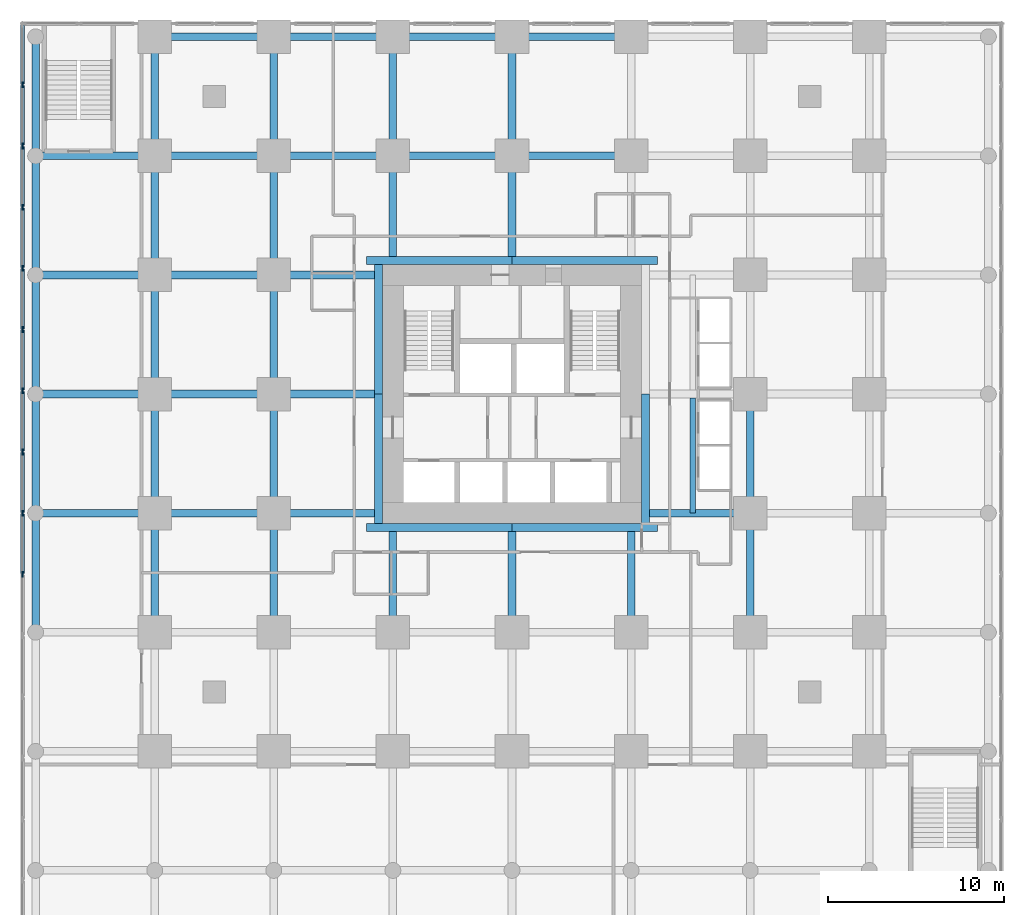
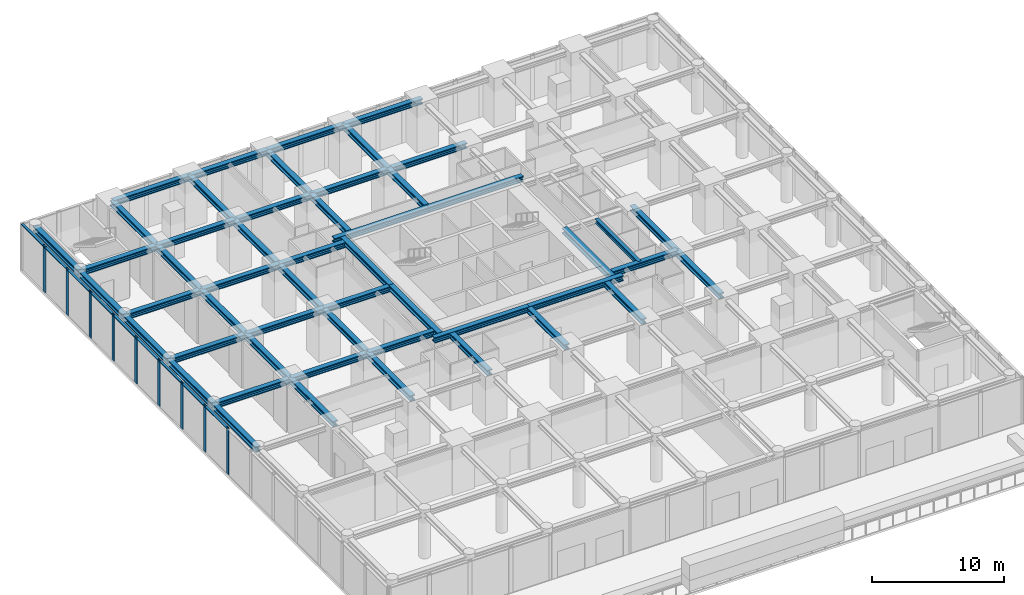
# One storey, part 4 of 11: 51 beams, 18 members, 1 element without a shape of its own.
"""IFC4 building model written with IfcOpenShell, lengths in metres."""

from ifc_helpers import new_model, si_unit, direction, frame, origin, origin_2d, place, context, subcontext, project, spatial, rectangle, i_section, extrude, material, material_profile, profile_set, type_object, element, aggregate, save


model = new_model("IFC4")

# Units and contexts
model_context = context("Model", 3, precision=1e-05, world=origin(), true_north=direction((0.0, 1.0)))
body_context = subcontext(model_context, "Body", "Model", "MODEL_VIEW")
ifc_project = project(units=[si_unit("LENGTHUNIT", "METRE"), si_unit("AREAUNIT", "SQUARE_METRE"), si_unit("VOLUMEUNIT", "CUBIC_METRE"), si_unit("PLANEANGLEUNIT", "RADIAN"), si_unit("MASSUNIT", "GRAM", prefix="KILO")], contexts=[model_context])

# Site, building, storey
site_placement = place(None, origin())
site = spatial("IfcSite", under=ifc_project, at=site_placement, CompositionType="ELEMENT")
building_placement = place(site_placement, origin())
building = spatial("IfcBuilding", under=site, at=building_placement, Name="Nyansa Garden Tower", CompositionType="ELEMENT")
storey_placement = place(building_placement, frame((0.0, 0.0, 4.5)))
storey = spatial("IfcBuildingStorey", under=building, at=storey_placement, Name="L01", CompositionType="ELEMENT", Elevation=4.5)

# Curtain wall, members
ifc_material_1 = material(Name="Black anodised aluminium, clear double glazing", Category="aluminium")
curtain_wall_type = type_object("IfcCurtainWallType", Name="Podium curtain wall PCW", PredefinedType="USERDEFINED", material=ifc_material_1)
curtain_wall_placement = place(storey_placement, origin())
curtain_wall = element("IfcCurtainWall", 1, at=curtain_wall_placement, inside=storey, type_object=curtain_wall_type, Name="Podium curtain wall L01 W", ObjectType="STICK CURTAIN WALL", PredefinedType="USERDEFINED")
ifc_material_2 = material(Name="Black anodised aluminium", Category="aluminium")
ifc_material_profile_1 = material_profile(ifc_material_2, rectangle(XDim=0.080078125, YDim=0.35009765625, at=origin_2d()), Name="Mullion 350x80")
ifc_profile_set_1 = profile_set([ifc_material_profile_1], Name="Black anodised aluminium")
member_type_1 = type_object("IfcMemberType", Name="Mullion PCW 350x80", PredefinedType="MULLION", material=ifc_profile_set_1)
member_1_placement = place(storey_placement, frame((-7.5, 37.78125, 0.0), z_axis=(0.0, 0.0, 1.0), x_axis=(1.0, 0.0, 0.0)))
member_1 = element("IfcMember", 2, at=member_1_placement, type_object=member_type_1, Name="PCW mullion 2", PredefinedType="MULLION", context=body_context, shape_type="SweptSolid", body=[
    extrude(rectangle(XDim=0.080078125, YDim=0.35009765625, at=origin_2d()), origin(), (0.0, 0.0, 1.0), 4.25),
])
member_2_placement = place(storey_placement, frame((-7.5, 34.3125, 0.0), z_axis=(0.0, 0.0, 1.0), x_axis=(1.0, 0.0, 0.0)))
member_2 = element("IfcMember", 3, at=member_2_placement, type_object=member_type_1, Name="PCW mullion 3", PredefinedType="MULLION", context=body_context, shape_type="SweptSolid", body=[
    extrude(rectangle(XDim=0.080078125, YDim=0.35009765625, at=origin_2d()), origin(), (0.0, 0.0, 1.0), 4.25),
])
member_3_placement = place(storey_placement, frame((-7.5, 30.84375, 0.0), z_axis=(0.0, 0.0, 1.0), x_axis=(1.0, 0.0, 0.0)))
member_3 = element("IfcMember", 4, at=member_3_placement, type_object=member_type_1, Name="PCW mullion 4", PredefinedType="MULLION", context=body_context, shape_type="SweptSolid", body=[
    extrude(rectangle(XDim=0.080078125, YDim=0.35009765625, at=origin_2d()), origin(), (0.0, 0.0, 1.0), 4.25),
])
member_4_placement = place(storey_placement, frame((-7.5, 27.375, 0.0), z_axis=(0.0, 0.0, 1.0), x_axis=(1.0, 0.0, 0.0)))
member_4 = element("IfcMember", 5, at=member_4_placement, type_object=member_type_1, Name="PCW mullion 5", PredefinedType="MULLION", context=body_context, shape_type="SweptSolid", body=[
    extrude(rectangle(XDim=0.080078125, YDim=0.35009765625, at=origin_2d()), origin(), (0.0, 0.0, 1.0), 4.25),
])
member_5_placement = place(storey_placement, frame((-7.5, 23.90625, 0.0), z_axis=(0.0, 0.0, 1.0), x_axis=(1.0, 0.0, 0.0)))
member_5 = element("IfcMember", 6, at=member_5_placement, type_object=member_type_1, Name="PCW mullion 6", PredefinedType="MULLION", context=body_context, shape_type="SweptSolid", body=[
    extrude(rectangle(XDim=0.080078125, YDim=0.35009765625, at=origin_2d()), origin(), (0.0, 0.0, 1.0), 4.25),
])
member_6_placement = place(storey_placement, frame((-7.5, 20.4375, 0.0), z_axis=(0.0, 0.0, 1.0), x_axis=(1.0, 0.0, 0.0)))
member_6 = element("IfcMember", 7, at=member_6_placement, type_object=member_type_1, Name="PCW mullion 7", PredefinedType="MULLION", context=body_context, shape_type="SweptSolid", body=[
    extrude(rectangle(XDim=0.080078125, YDim=0.35009765625, at=origin_2d()), origin(), (0.0, 0.0, 1.0), 4.25),
])
member_7_placement = place(storey_placement, frame((-7.5, 16.96875, 0.0), z_axis=(0.0, 0.0, 1.0), x_axis=(1.0, 0.0, 0.0)))
member_7 = element("IfcMember", 8, at=member_7_placement, type_object=member_type_1, Name="PCW mullion 8", PredefinedType="MULLION", context=body_context, shape_type="SweptSolid", body=[
    extrude(rectangle(XDim=0.080078125, YDim=0.35009765625, at=origin_2d()), origin(), (0.0, 0.0, 1.0), 4.25),
])
member_8_placement = place(storey_placement, frame((-7.5, 13.5, 0.0), z_axis=(0.0, 0.0, 1.0), x_axis=(1.0, 0.0, 0.0)))
member_8 = element("IfcMember", 9, at=member_8_placement, type_object=member_type_1, Name="PCW mullion 9", PredefinedType="MULLION", context=body_context, shape_type="SweptSolid", body=[
    extrude(rectangle(XDim=0.080078125, YDim=0.35009765625, at=origin_2d()), origin(), (0.0, 0.0, 1.0), 4.25),
])
member_9_placement = place(storey_placement, frame((-7.5, 10.03125, 0.0), z_axis=(0.0, 0.0, 1.0), x_axis=(1.0, 0.0, 0.0)))
member_9 = element("IfcMember", 10, at=member_9_placement, type_object=member_type_1, Name="PCW mullion 10", PredefinedType="MULLION", context=body_context, shape_type="SweptSolid", body=[
    extrude(rectangle(XDim=0.080078125, YDim=0.35009765625, at=origin_2d()), origin(), (0.0, 0.0, 1.0), 4.25),
])

# Beams
ifc_material_3 = material(Name="Steel S355", Category="steel")
ifc_material_profile_2 = material_profile(ifc_material_3, i_section(OverallWidth=0.431884765625, OverallDepth=0.498046875, WebThickness=0.0556640625, FlangeThickness=0.0888671875, FilletRadius=0.014892578125, at=origin_2d()), Name="HD 400x744")
ifc_profile_set_2 = profile_set([ifc_material_profile_2], Name="Steel S355")
beam_type_1 = type_object("IfcBeamType", Name="Steel beam SBP1-744 HD 400x744", PredefinedType="BEAM", material=ifc_profile_set_2)
for number, where, z_axis, x_axis, name in (
    (11, (-6.75, 13.5, 4.0009765625), (1.0, 0.0, 0.0), (0.0, 1.0, 0.0), "Steel beam 1/F-2/F L02"),
    (12, (-6.75, 20.25, 4.0009765625), (1.0, 0.0, 0.0), (0.0, 1.0, 0.0), "Steel beam 1/G-2/G L02"),
    (13, (-6.75, 27.0, 4.0009765625), (1.0, 0.0, 0.0), (0.0, 1.0, 0.0), "Steel beam 1/H-2/H L02"),
    (14, (-6.75, 33.75, 4.0009765625), (1.0, 0.0, 0.0), (0.0, 1.0, 0.0), "Steel beam 1/J-2/J L02"),
    (15, (0.0, 6.75, 4.0009765625), (0.0, 1.0, 0.0), (-1.0, 0.0, 0.0), "Steel beam 2/E-2/F L02"),
    (16, (0.0, 13.5, 4.0009765625), (0.0, 1.0, 0.0), (-1.0, 0.0, 0.0), "Steel beam 2/F-2/G L02"),
    (17, (0.0, 13.5, 4.0009765625), (1.0, 0.0, 0.0), (0.0, 1.0, 0.0), "Steel beam 2/F-3/F L02"),
    (18, (0.0, 20.25, 4.0009765625), (0.0, 1.0, 0.0), (-1.0, 0.0, 0.0), "Steel beam 2/G-2/H L02"),
    (19, (0.0, 20.25, 4.0009765625), (1.0, 0.0, 0.0), (0.0, 1.0, 0.0), "Steel beam 2/G-3/G L02"),
    (20, (0.0, 27.0, 4.0009765625), (0.0, 1.0, 0.0), (-1.0, 0.0, 0.0), "Steel beam 2/H-2/J L02"),
    (21, (0.0, 27.0, 4.0009765625), (1.0, 0.0, 0.0), (0.0, 1.0, 0.0), "Steel beam 2/H-3/H L02"),
    (22, (0.0, 33.75, 4.0009765625), (0.0, 1.0, 0.0), (-1.0, 0.0, 0.0), "Steel beam 2/J-2/K L02"),
    (23, (0.0, 33.75, 4.0009765625), (1.0, 0.0, 0.0), (0.0, 1.0, 0.0), "Steel beam 2/J-3/J L02"),
    (24, (6.75, 6.75, 4.0009765625), (0.0, 1.0, 0.0), (-1.0, 0.0, 0.0), "Steel beam 3/E-3/F L02"),
    (25, (6.75, 13.5, 4.0009765625), (0.0, 1.0, 0.0), (-1.0, 0.0, 0.0), "Steel beam 3/F-3/G L02"),
):
    element("IfcBeam", number, at=place(storey_placement, frame(where, z_axis=z_axis, x_axis=x_axis)), inside=storey, type_object=beam_type_1, Name=name, PredefinedType="BEAM", context=body_context, shape_type="SweptSolid", body=[
        extrude(i_section(OverallWidth=0.431884765625, OverallDepth=0.498046875, WebThickness=0.0556640625, FlangeThickness=0.0888671875, FilletRadius=0.014892578125, at=origin_2d()), origin(), (0.0, 0.0, 1.0), 6.75),
    ])
beam_1_placement = place(storey_placement, frame((6.75, 13.5, 4.0009765625), z_axis=(1.0, 0.0, 0.0), x_axis=(0.0, 1.0, 0.0)))
element("IfcBeam", 26, at=beam_1_placement, inside=storey, type_object=beam_type_1, Name="Steel beam 3/F-12.450/F L02", PredefinedType="BEAM", context=body_context, shape_type="SweptSolid", body=[
    extrude(i_section(OverallWidth=0.431884765625, OverallDepth=0.498046875, WebThickness=0.0556640625, FlangeThickness=0.0888671875, FilletRadius=0.014892578125, at=origin_2d()), origin(), (0.0, 0.0, 1.0), 5.699951171875),
])
beam_2_placement = place(storey_placement, frame((6.75, 20.25, 4.0009765625), z_axis=(0.0, 1.0, 0.0), x_axis=(-1.0, 0.0, 0.0)))
element("IfcBeam", 27, at=beam_2_placement, inside=storey, type_object=beam_type_1, Name="Steel beam 3/G-3/H L02", PredefinedType="BEAM", context=body_context, shape_type="SweptSolid", body=[
    extrude(i_section(OverallWidth=0.431884765625, OverallDepth=0.498046875, WebThickness=0.0556640625, FlangeThickness=0.0888671875, FilletRadius=0.014892578125, at=origin_2d()), origin(), (0.0, 0.0, 1.0), 6.75),
])
beam_3_placement = place(storey_placement, frame((6.75, 20.25, 4.0009765625), z_axis=(1.0, 0.0, 0.0), x_axis=(0.0, 1.0, 0.0)))
element("IfcBeam", 28, at=beam_3_placement, inside=storey, type_object=beam_type_1, Name="Steel beam 3/G-12.450/G L02", PredefinedType="BEAM", context=body_context, shape_type="SweptSolid", body=[
    extrude(i_section(OverallWidth=0.431884765625, OverallDepth=0.498046875, WebThickness=0.0556640625, FlangeThickness=0.0888671875, FilletRadius=0.014892578125, at=origin_2d()), origin(), (0.0, 0.0, 1.0), 5.699951171875),
])
beam_4_placement = place(storey_placement, frame((6.75, 27.0, 4.0009765625), z_axis=(0.0, 1.0, 0.0), x_axis=(-1.0, 0.0, 0.0)))
element("IfcBeam", 29, at=beam_4_placement, inside=storey, type_object=beam_type_1, Name="Steel beam 3/H-3/J L02", PredefinedType="BEAM", context=body_context, shape_type="SweptSolid", body=[
    extrude(i_section(OverallWidth=0.431884765625, OverallDepth=0.498046875, WebThickness=0.0556640625, FlangeThickness=0.0888671875, FilletRadius=0.014892578125, at=origin_2d()), origin(), (0.0, 0.0, 1.0), 6.75),
])
beam_5_placement = place(storey_placement, frame((6.75, 27.0, 4.0009765625), z_axis=(1.0, 0.0, 0.0), x_axis=(0.0, 1.0, 0.0)))
element("IfcBeam", 30, at=beam_5_placement, inside=storey, type_object=beam_type_1, Name="Steel beam 3/H-12.450/H L02", PredefinedType="BEAM", context=body_context, shape_type="SweptSolid", body=[
    extrude(i_section(OverallWidth=0.431884765625, OverallDepth=0.498046875, WebThickness=0.0556640625, FlangeThickness=0.0888671875, FilletRadius=0.014892578125, at=origin_2d()), origin(), (0.0, 0.0, 1.0), 5.699951171875),
])
for number, where, z_axis, x_axis, name in (
    (31, (6.75, 33.75, 4.0009765625), (0.0, 1.0, 0.0), (-1.0, 0.0, 0.0), "Steel beam 3/J-3/K L02"),
    (32, (6.75, 33.75, 4.0009765625), (1.0, 0.0, 0.0), (0.0, 1.0, 0.0), "Steel beam 3/J-4/J L02"),
):
    element("IfcBeam", number, at=place(storey_placement, frame(where, z_axis=z_axis, x_axis=x_axis)), inside=storey, type_object=beam_type_1, Name=name, PredefinedType="BEAM", context=body_context, shape_type="SweptSolid", body=[
        extrude(i_section(OverallWidth=0.431884765625, OverallDepth=0.498046875, WebThickness=0.0556640625, FlangeThickness=0.0888671875, FilletRadius=0.014892578125, at=origin_2d()), origin(), (0.0, 0.0, 1.0), 6.75),
    ])
for number, where, z_axis, x_axis, name in (
    (33, (13.5, 6.75, 4.0009765625), (0.0, 1.0, 0.0), (-1.0, 0.0, 0.0), "Steel beam 4/E-4/12.450 L02"),
    (34, (13.5, 28.050048828125, 4.0009765625), (0.0, 1.0, 0.0), (-1.0, 0.0, 0.0), "Steel beam 4/28.050-4/J L02"),
):
    element("IfcBeam", number, at=place(storey_placement, frame(where, z_axis=z_axis, x_axis=x_axis)), inside=storey, type_object=beam_type_1, Name=name, PredefinedType="BEAM", context=body_context, shape_type="SweptSolid", body=[
        extrude(i_section(OverallWidth=0.431884765625, OverallDepth=0.498046875, WebThickness=0.0556640625, FlangeThickness=0.0888671875, FilletRadius=0.014892578125, at=origin_2d()), origin(), (0.0, 0.0, 1.0), 5.699951171875),
    ])
for number, where, z_axis, x_axis, name in (
    (35, (13.5, 33.75, 4.0009765625), (0.0, 1.0, 0.0), (-1.0, 0.0, 0.0), "Steel beam 4/J-4/K L02"),
    (36, (13.5, 33.75, 4.0009765625), (1.0, 0.0, 0.0), (0.0, 1.0, 0.0), "Steel beam 4/J-5/J L02"),
):
    element("IfcBeam", number, at=place(storey_placement, frame(where, z_axis=z_axis, x_axis=x_axis)), inside=storey, type_object=beam_type_1, Name=name, PredefinedType="BEAM", context=body_context, shape_type="SweptSolid", body=[
        extrude(i_section(OverallWidth=0.431884765625, OverallDepth=0.498046875, WebThickness=0.0556640625, FlangeThickness=0.0888671875, FilletRadius=0.014892578125, at=origin_2d()), origin(), (0.0, 0.0, 1.0), 6.75),
    ])
for number, where, z_axis, x_axis, name in (
    (37, (20.25, 6.75, 4.0009765625), (0.0, 1.0, 0.0), (-1.0, 0.0, 0.0), "Steel beam 5/E-5/12.450 L02"),
    (38, (20.25, 28.050048828125, 4.0009765625), (0.0, 1.0, 0.0), (-1.0, 0.0, 0.0), "Steel beam 5/28.050-5/J L02"),
):
    element("IfcBeam", number, at=place(storey_placement, frame(where, z_axis=z_axis, x_axis=x_axis)), inside=storey, type_object=beam_type_1, Name=name, PredefinedType="BEAM", context=body_context, shape_type="SweptSolid", body=[
        extrude(i_section(OverallWidth=0.431884765625, OverallDepth=0.498046875, WebThickness=0.0556640625, FlangeThickness=0.0888671875, FilletRadius=0.014892578125, at=origin_2d()), origin(), (0.0, 0.0, 1.0), 5.699951171875),
    ])
for number, where, z_axis, x_axis, name in (
    (39, (20.25, 33.75, 4.0009765625), (0.0, 1.0, 0.0), (-1.0, 0.0, 0.0), "Steel beam 5/J-5/K L02"),
    (40, (20.25, 33.75, 4.0009765625), (1.0, 0.0, 0.0), (0.0, 1.0, 0.0), "Steel beam 5/J-6/J L02"),
):
    element("IfcBeam", number, at=place(storey_placement, frame(where, z_axis=z_axis, x_axis=x_axis)), inside=storey, type_object=beam_type_1, Name=name, PredefinedType="BEAM", context=body_context, shape_type="SweptSolid", body=[
        extrude(i_section(OverallWidth=0.431884765625, OverallDepth=0.498046875, WebThickness=0.0556640625, FlangeThickness=0.0888671875, FilletRadius=0.014892578125, at=origin_2d()), origin(), (0.0, 0.0, 1.0), 6.75),
    ])
for number, where, z_axis, x_axis, name in (
    (41, (27.0, 6.75, 4.0009765625), (0.0, 1.0, 0.0), (-1.0, 0.0, 0.0), "Steel beam 6/E-6/12.450 L02"),
    (42, (28.050048828125, 13.5, 4.0009765625), (1.0, 0.0, 0.0), (0.0, 1.0, 0.0), "Steel beam 28.050/F-7/F L02"),
):
    element("IfcBeam", number, at=place(storey_placement, frame(where, z_axis=z_axis, x_axis=x_axis)), inside=storey, type_object=beam_type_1, Name=name, PredefinedType="BEAM", context=body_context, shape_type="SweptSolid", body=[
        extrude(i_section(OverallWidth=0.431884765625, OverallDepth=0.498046875, WebThickness=0.0556640625, FlangeThickness=0.0888671875, FilletRadius=0.014892578125, at=origin_2d()), origin(), (0.0, 0.0, 1.0), 5.699951171875),
    ])
for number, where, z_axis, x_axis, name in (
    (43, (33.75, 6.75, 4.0009765625), (0.0, 1.0, 0.0), (-1.0, 0.0, 0.0), "Steel beam 7/E-7/F L02"),
    (44, (33.75, 13.5, 4.0009765625), (0.0, 1.0, 0.0), (-1.0, 0.0, 0.0), "Steel beam 7/F-7/G L02"),
):
    element("IfcBeam", number, at=place(storey_placement, frame(where, z_axis=z_axis, x_axis=x_axis)), inside=storey, type_object=beam_type_1, Name=name, PredefinedType="BEAM", context=body_context, shape_type="SweptSolid", body=[
        extrude(i_section(OverallWidth=0.431884765625, OverallDepth=0.498046875, WebThickness=0.0556640625, FlangeThickness=0.0888671875, FilletRadius=0.014892578125, at=origin_2d()), origin(), (0.0, 0.0, 1.0), 6.75),
    ])
ifc_material_4 = material(Name="Steel S355", Category="steel")
ifc_material_profile_3 = material_profile(ifc_material_4, i_section(OverallWidth=0.431884765625, OverallDepth=0.498046875, WebThickness=0.0556640625, FlangeThickness=0.0888671875, FilletRadius=0.014892578125, at=origin_2d()), Name="HD 400x744")
ifc_profile_set_3 = profile_set([ifc_material_profile_3], Name="Steel S355")
beam_type_2 = type_object("IfcBeamType", Name="Steel beam SEBP-744 HD 400x744", PredefinedType="BEAM", material=ifc_profile_set_3)
for number, where, z_axis, x_axis, name in (
    (45, (-6.75, 6.75, 4.0009765625), (0.0, 1.0, 0.0), (-1.0, 0.0, 0.0), "Steel edge beam 1/E-1/F L02"),
    (46, (-6.75, 13.5, 4.0009765625), (0.0, 1.0, 0.0), (-1.0, 0.0, 0.0), "Steel edge beam 1/F-1/G L02"),
    (47, (-6.75, 20.25, 4.0009765625), (0.0, 1.0, 0.0), (-1.0, 0.0, 0.0), "Steel edge beam 1/G-1/H L02"),
    (48, (-6.75, 27.0, 4.0009765625), (0.0, 1.0, 0.0), (-1.0, 0.0, 0.0), "Steel edge beam 1/H-1/J L02"),
    (49, (-6.75, 33.75, 4.0009765625), (0.0, 1.0, 0.0), (-1.0, 0.0, 0.0), "Steel edge beam 1/J-1/K L02"),
    (50, (0.0, 40.5, 4.0009765625), (1.0, 0.0, 0.0), (0.0, 1.0, 0.0), "Steel edge beam 2/K-3/K L02"),
    (51, (6.75, 40.5, 4.0009765625), (1.0, 0.0, 0.0), (0.0, 1.0, 0.0), "Steel edge beam 3/K-4/K L02"),
    (52, (13.5, 40.5, 4.0009765625), (1.0, 0.0, 0.0), (0.0, 1.0, 0.0), "Steel edge beam 4/K-5/K L02"),
    (53, (20.25, 40.5, 4.0009765625), (1.0, 0.0, 0.0), (0.0, 1.0, 0.0), "Steel edge beam 5/K-6/K L02"),
):
    element("IfcBeam", number, at=place(storey_placement, frame(where, z_axis=z_axis, x_axis=x_axis)), inside=storey, type_object=beam_type_2, Name=name, PredefinedType="BEAM", context=body_context, shape_type="SweptSolid", body=[
        extrude(i_section(OverallWidth=0.431884765625, OverallDepth=0.498046875, WebThickness=0.0556640625, FlangeThickness=0.0888671875, FilletRadius=0.014892578125, at=origin_2d()), origin(), (0.0, 0.0, 1.0), 6.75),
    ])
ifc_material_5 = material(Name="Steel S355", Category="steel")
ifc_material_profile_4 = material_profile(ifc_material_5, i_section(OverallWidth=0.431884765625, OverallDepth=0.498046875, WebThickness=0.0556640625, FlangeThickness=0.0888671875, FilletRadius=0.014892578125, at=origin_2d()), Name="HD 400x744")
ifc_profile_set_4 = profile_set([ifc_material_profile_4], Name="Steel S355")
beam_type_3 = type_object("IfcBeamType", Name="Steel beam SLB1-744 HD 400x744", PredefinedType="BEAM", material=ifc_profile_set_4)
for number, where, z_axis, x_axis, name in (
    (54, (12.0, 12.68408203125, 4.0009765625), (1.0, 0.0, 0.0), (0.0, 1.0, 0.0), "Steel core ledger beam S.1 L02"),
    (55, (20.25, 12.68408203125, 4.0009765625), (1.0, 0.0, 0.0), (0.0, 1.0, 0.0), "Steel core ledger beam S.2 L02"),
):
    element("IfcBeam", number, at=place(storey_placement, frame(where, z_axis=z_axis, x_axis=x_axis)), inside=storey, type_object=beam_type_3, Name=name, PredefinedType="BEAM", context=body_context, shape_type="SweptSolid", body=[
        extrude(i_section(OverallWidth=0.431884765625, OverallDepth=0.498046875, WebThickness=0.0556640625, FlangeThickness=0.0888671875, FilletRadius=0.014892578125, at=origin_2d()), origin(), (0.0, 0.0, 1.0), 8.25),
    ])
beam_6_placement = place(storey_placement, frame((27.81591796875, 12.89990234375, 4.0009765625), z_axis=(0.0, 1.0, 0.0), x_axis=(-1.0, 0.0, 0.0)))
element("IfcBeam", 56, at=beam_6_placement, inside=storey, type_object=beam_type_3, Name="Steel core ledger beam E.1 L02", PredefinedType="BEAM", context=body_context, shape_type="SweptSolid", body=[
    extrude(i_section(OverallWidth=0.431884765625, OverallDepth=0.498046875, WebThickness=0.0556640625, FlangeThickness=0.0888671875, FilletRadius=0.014892578125, at=origin_2d()), origin(), (0.0, 0.0, 1.0), 7.35009765625),
])
for number, where, z_axis, x_axis, name in (
    (57, (28.5, 27.81591796875, 4.0009765625), (-1.0, 0.0, 0.0), (0.0, -1.0, 0.0), "Steel core ledger beam N.1 L02"),
    (58, (20.25, 27.81591796875, 4.0009765625), (-1.0, 0.0, 0.0), (0.0, -1.0, 0.0), "Steel core ledger beam N.2 L02"),
):
    element("IfcBeam", number, at=place(storey_placement, frame(where, z_axis=z_axis, x_axis=x_axis)), inside=storey, type_object=beam_type_3, Name=name, PredefinedType="BEAM", context=body_context, shape_type="SweptSolid", body=[
        extrude(i_section(OverallWidth=0.431884765625, OverallDepth=0.498046875, WebThickness=0.0556640625, FlangeThickness=0.0888671875, FilletRadius=0.014892578125, at=origin_2d()), origin(), (0.0, 0.0, 1.0), 8.25),
    ])
for number, where, z_axis, x_axis, name in (
    (59, (12.68408203125, 27.60009765625, 4.0009765625), (0.0, -1.0, 0.0), (1.0, 0.0, 0.0), "Steel core ledger beam W.1 L02"),
    (60, (12.68408203125, 20.25, 4.0009765625), (0.0, -1.0, 0.0), (1.0, 0.0, 0.0), "Steel core ledger beam W.2 L02"),
):
    element("IfcBeam", number, at=place(storey_placement, frame(where, z_axis=z_axis, x_axis=x_axis)), inside=storey, type_object=beam_type_3, Name=name, PredefinedType="BEAM", context=body_context, shape_type="SweptSolid", body=[
        extrude(i_section(OverallWidth=0.431884765625, OverallDepth=0.498046875, WebThickness=0.0556640625, FlangeThickness=0.0888671875, FilletRadius=0.014892578125, at=origin_2d()), origin(), (0.0, 0.0, 1.0), 7.35009765625),
    ])

# Member
ifc_material_6 = material(Name="Black anodised aluminium", Category="aluminium")
ifc_material_profile_5 = material_profile(ifc_material_6, rectangle(XDim=0.219970703125, YDim=0.080078125, at=origin_2d()), Name="Transom 220x80")
ifc_profile_set_5 = profile_set([ifc_material_profile_5], Name="Black anodised aluminium")
member_type_2 = type_object("IfcMemberType", Name="Transom PCW 220x80", PredefinedType="USERDEFINED", material=ifc_profile_set_5)
member_10_placement = place(storey_placement, frame((-7.5, 41.169921875, 4.2099609375), z_axis=(0.0, -1.0, 0.0), x_axis=(1.0, 0.0, 0.0)))
member_10 = element("IfcMember", 61, at=member_10_placement, type_object=member_type_2, Name="PCW transom 1", ObjectType="TRANSOM", PredefinedType="USERDEFINED", context=body_context, shape_type="SweptSolid", body=[
    extrude(rectangle(XDim=0.219970703125, YDim=0.080078125, at=origin_2d()), origin(), (0.0, 0.0, 1.0), 3.3486328125),
])

member_11_placement = place(storey_placement, frame((-7.5, 37.7412109375, 4.2099609375), z_axis=(0.0, -1.0, 0.0), x_axis=(1.0, 0.0, 0.0)))
member_11 = element("IfcMember", 62, at=member_11_placement, type_object=member_type_2, Name="PCW transom 2", ObjectType="TRANSOM", PredefinedType="USERDEFINED", context=body_context, shape_type="SweptSolid", body=[
    extrude(rectangle(XDim=0.219970703125, YDim=0.080078125, at=origin_2d()), origin(), (0.0, 0.0, 1.0), 3.388671875),
])

member_12_placement = place(storey_placement, frame((-7.5, 34.2724609375, 4.2099609375), z_axis=(0.0, -1.0, 0.0), x_axis=(1.0, 0.0, 0.0)))
member_12 = element("IfcMember", 63, at=member_12_placement, type_object=member_type_2, Name="PCW transom 3", ObjectType="TRANSOM", PredefinedType="USERDEFINED", context=body_context, shape_type="SweptSolid", body=[
    extrude(rectangle(XDim=0.219970703125, YDim=0.080078125, at=origin_2d()), origin(), (0.0, 0.0, 1.0), 3.388671875),
])

member_13_placement = place(storey_placement, frame((-7.5, 30.8037109375, 4.2099609375), z_axis=(0.0, -1.0, 0.0), x_axis=(1.0, 0.0, 0.0)))
member_13 = element("IfcMember", 64, at=member_13_placement, type_object=member_type_2, Name="PCW transom 4", ObjectType="TRANSOM", PredefinedType="USERDEFINED", context=body_context, shape_type="SweptSolid", body=[
    extrude(rectangle(XDim=0.219970703125, YDim=0.080078125, at=origin_2d()), origin(), (0.0, 0.0, 1.0), 3.388671875),
])

member_14_placement = place(storey_placement, frame((-7.5, 27.3349609375, 4.2099609375), z_axis=(0.0, -1.0, 0.0), x_axis=(1.0, 0.0, 0.0)))
member_14 = element("IfcMember", 65, at=member_14_placement, type_object=member_type_2, Name="PCW transom 5", ObjectType="TRANSOM", PredefinedType="USERDEFINED", context=body_context, shape_type="SweptSolid", body=[
    extrude(rectangle(XDim=0.219970703125, YDim=0.080078125, at=origin_2d()), origin(), (0.0, 0.0, 1.0), 3.388671875),
])

member_15_placement = place(storey_placement, frame((-7.5, 23.8662109375, 4.2099609375), z_axis=(0.0, -1.0, 0.0), x_axis=(1.0, 0.0, 0.0)))
member_15 = element("IfcMember", 66, at=member_15_placement, type_object=member_type_2, Name="PCW transom 6", ObjectType="TRANSOM", PredefinedType="USERDEFINED", context=body_context, shape_type="SweptSolid", body=[
    extrude(rectangle(XDim=0.219970703125, YDim=0.080078125, at=origin_2d()), origin(), (0.0, 0.0, 1.0), 3.388671875),
])

member_16_placement = place(storey_placement, frame((-7.5, 20.3974609375, 4.2099609375), z_axis=(0.0, -1.0, 0.0), x_axis=(1.0, 0.0, 0.0)))
member_16 = element("IfcMember", 67, at=member_16_placement, type_object=member_type_2, Name="PCW transom 7", ObjectType="TRANSOM", PredefinedType="USERDEFINED", context=body_context, shape_type="SweptSolid", body=[
    extrude(rectangle(XDim=0.219970703125, YDim=0.080078125, at=origin_2d()), origin(), (0.0, 0.0, 1.0), 3.388671875),
])

member_17_placement = place(storey_placement, frame((-7.5, 16.9287109375, 4.2099609375), z_axis=(0.0, -1.0, 0.0), x_axis=(1.0, 0.0, 0.0)))
member_17 = element("IfcMember", 68, at=member_17_placement, type_object=member_type_2, Name="PCW transom 8", ObjectType="TRANSOM", PredefinedType="USERDEFINED", context=body_context, shape_type="SweptSolid", body=[
    extrude(rectangle(XDim=0.219970703125, YDim=0.080078125, at=origin_2d()), origin(), (0.0, 0.0, 1.0), 3.388671875),
])

member_18_placement = place(storey_placement, frame((-7.5, 13.4599609375, 4.2099609375), z_axis=(0.0, -1.0, 0.0), x_axis=(1.0, 0.0, 0.0)))
member_18 = element("IfcMember", 69, at=member_18_placement, type_object=member_type_2, Name="PCW transom 9", ObjectType="TRANSOM", PredefinedType="USERDEFINED", context=body_context, shape_type="SweptSolid", body=[
    extrude(rectangle(XDim=0.219970703125, YDim=0.080078125, at=origin_2d()), origin(), (0.0, 0.0, 1.0), 3.388671875),
])

aggregate(curtain_wall, [member_1, member_2, member_3, member_4, member_5, member_6, member_7, member_8, member_9, member_10, member_11, member_12, member_13, member_14, member_15, member_16, member_17, member_18])

# Beam
ifc_material_7 = material(Name="Steel S355", Category="steel")
ifc_material_profile_6 = material_profile(ifc_material_7, i_section(OverallWidth=0.300048828125, OverallDepth=0.39990234375, WebThickness=0.013427734375, FlangeThickness=0.02392578125, FilletRadius=0.027099609375, at=origin_2d()), Name="HE 400 B")
ifc_profile_set_6 = profile_set([ifc_material_profile_6], Name="Steel S355")
beam_type_4 = type_object("IfcBeamType", Name="Trimmer beam TR1 HE 400 B", PredefinedType="BEAM", material=ifc_profile_set_6)
beam_7_placement = place(storey_placement, frame((30.5, 13.5, 4.050048828125), z_axis=(0.0, 1.0, 0.0), x_axis=(-1.0, 0.0, 0.0)))
element("IfcBeam", 70, at=beam_7_placement, inside=storey, type_object=beam_type_4, Name="Trimmer beam 1 L02", PredefinedType="BEAM", context=body_context, shape_type="SweptSolid", body=[
    extrude(i_section(OverallWidth=0.300048828125, OverallDepth=0.39990234375, WebThickness=0.013427734375, FlangeThickness=0.02392578125, FilletRadius=0.027099609375, at=origin_2d()), origin(), (0.0, 0.0, 1.0), 6.533935546875),
])

save(model, "model.ifc")
